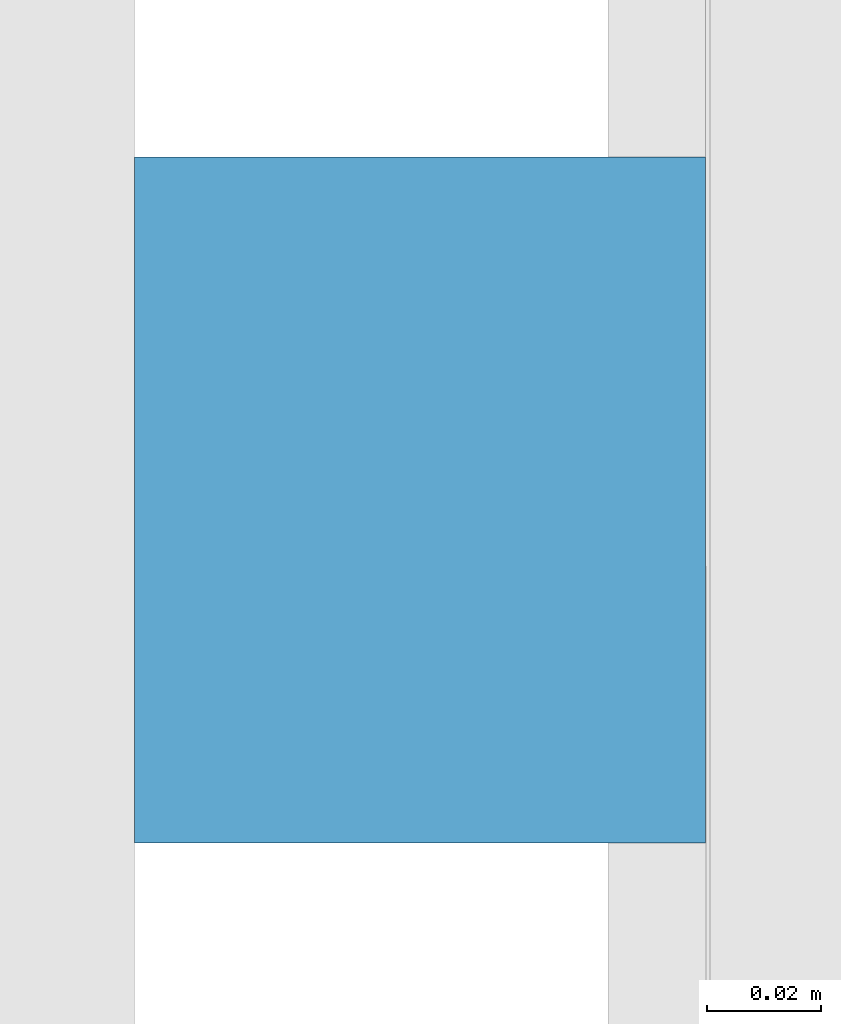
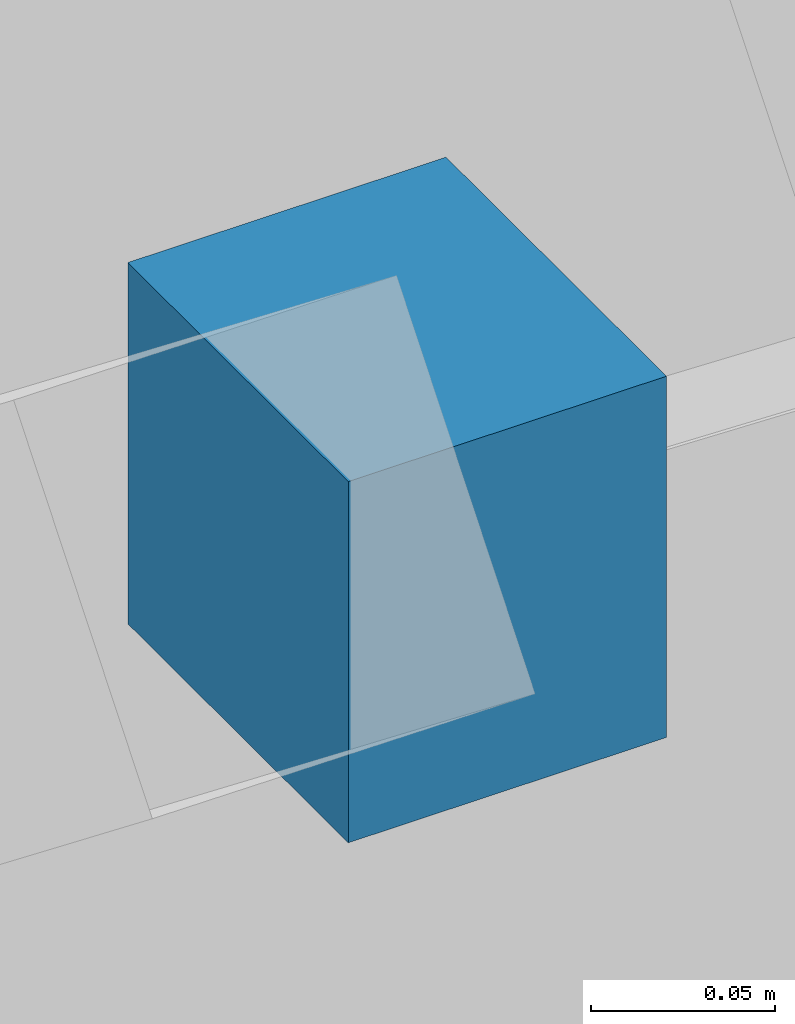
# One storey, part 24 of 27: 1 discrete accessory.
"""IFC4 building model written with IfcOpenShell, lengths in metres."""

from ifc_helpers import new_model, si_unit, direction, frame, origin, origin_2d, place, context, subcontext, project, spatial, rectangle, extrude, material, type_object, element, save


model = new_model("IFC4")

# Units and contexts
model_context = context("Model", 3, precision=1e-05, world=origin(), true_north=direction((0.0, 1.0)))
body_context = subcontext(model_context, "Body", "Model", "MODEL_VIEW")
ifc_project = project(units=[si_unit("LENGTHUNIT", "METRE"), si_unit("AREAUNIT", "SQUARE_METRE"), si_unit("VOLUMEUNIT", "CUBIC_METRE"), si_unit("PLANEANGLEUNIT", "RADIAN"), si_unit("MASSUNIT", "GRAM", prefix="KILO")], contexts=[model_context])

# Site, building, storey
site_placement = place(None, origin())
site = spatial("IfcSite", under=ifc_project, at=site_placement, CompositionType="ELEMENT")
building_placement = place(site_placement, origin())
building = spatial("IfcBuilding", under=site, at=building_placement, Name="Crosswind Convention Tower", CompositionType="ELEMENT")
storey_placement = place(building_placement, frame((0.0, 0.0, 75.699951171875)))
storey = spatial("IfcBuildingStorey", under=building, at=storey_placement, Name="L13", CompositionType="ELEMENT", Elevation=75.699951171875)

# Discrete accessory
ifc_material = material(Name="Stainless steel", Category="steel")
discrete_accessory_type = type_object("IfcDiscreteAccessoryType", Name="BAGUETTE BRACKET BK2", PredefinedType="BRACKET", material=ifc_material)
discrete_accessory_placement = place(storey_placement, frame((88.092041015625, 110.333740234375, 1.4775390625), z_axis=(0.0, 0.0, 1.0), x_axis=(0.0, -1.0, 0.0)))
element("IfcDiscreteAccessory", 1, at=discrete_accessory_placement, inside=storey, type_object=discrete_accessory_type, Name="BK2 baguette bracket", PredefinedType="BRACKET", context=body_context, shape_type="SweptSolid", body=[
    extrude(rectangle(XDim=0.1201171875, YDim=0.10009765625, at=origin_2d()), origin(), (0.0, 0.0, 1.0), 0.1201171875),
])

save(model, "model.ifc")
